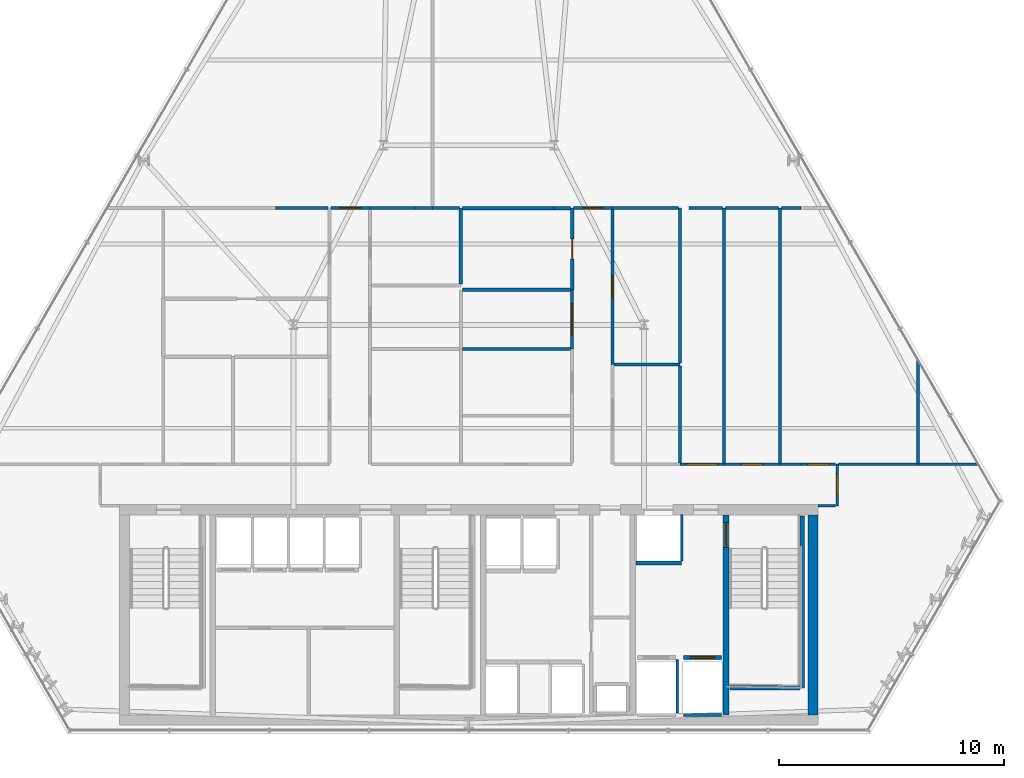
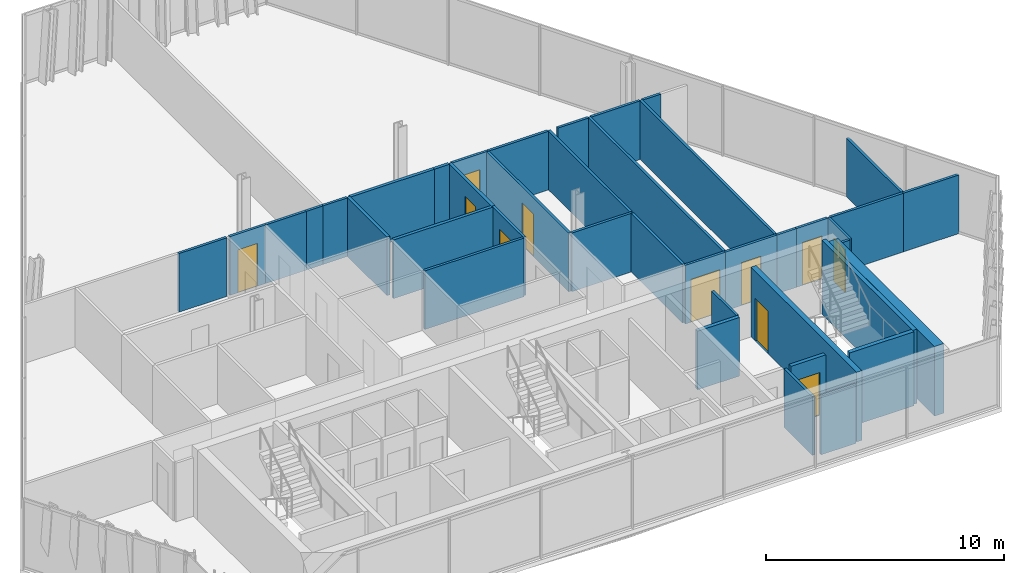
# One storey, part 27 of 31: 41 walls, 11 doors, 11 openings.
"""IFC4 building model written with IfcOpenShell, lengths in metres."""

from ifc_helpers import new_model, si_unit, direction, frame, frame_2d, origin, place, context, subcontext, project, spatial, rectangle, extrude, material, layer, layer_set, type_object, element, fill, save


model = new_model("IFC4")

# Units and contexts
model_context = context("Model", 3, precision=1e-05, world=origin(), true_north=direction((0.0, 1.0)))
body_context = subcontext(model_context, "Body", "Model", "MODEL_VIEW")
ifc_project = project(units=[si_unit("LENGTHUNIT", "METRE"), si_unit("AREAUNIT", "SQUARE_METRE"), si_unit("VOLUMEUNIT", "CUBIC_METRE"), si_unit("PLANEANGLEUNIT", "RADIAN"), si_unit("MASSUNIT", "GRAM", prefix="KILO")], contexts=[model_context])

# Site, building, storey
site_placement = place(None, origin())
site = spatial("IfcSite", under=ifc_project, at=site_placement, CompositionType="ELEMENT")
building_placement = place(site_placement, origin())
building = spatial("IfcBuilding", under=site, at=building_placement, Name="Ndaravel Arena Tower", CompositionType="ELEMENT")
storey_placement = place(building_placement, frame((0.0, 0.0, 146.0)))
storey = spatial("IfcBuildingStorey", under=building, at=storey_placement, Name="L34", CompositionType="ELEMENT", Elevation=146.0)

# Wall, opening, door
ifc_material_1 = material(Name="Concrete C60/75", Category="concrete")
ifc_layer_1 = layer(ifc_material_1, 0.25)
ifc_layer_set_1 = layer_set([ifc_layer_1], Name="Concrete C60/75")
wall_type_1 = type_object("IfcWallType", Name="WALL-CORE-250", PredefinedType="SOLIDWALL", material=ifc_layer_set_1)
wall_1_placement = place(storey_placement, frame((53.449951171875, 5.85009765625, 0.0), z_axis=(0.0, 0.0, 1.0), x_axis=(0.0, 1.0, 0.0)))
wall_1 = element("IfcWall", 1, at=wall_1_placement, inside=storey, type_object=wall_type_1, Name="L34 Core Web Shear Wall 5", PredefinedType="SOLIDWALL", context=body_context, shape_type="SweptSolid", body=[
    extrude(rectangle(XDim=8.89990234375, YDim=0.25, at=frame_2d((4.449951171875, 0.0))), origin(), (0.0, 0.0, 1.0), 3.580078125),
])
opening_1_placement = place(wall_1_placement, frame((7.449951171875, 0.0, 0.0)))
opening_1 = element("IfcOpeningElement", 2, at=opening_1_placement, cuts=wall_1, Name="Opening FD-01", PredefinedType="OPENING", context=body_context, shape_type="SweptSolid", body=[
    extrude(rectangle(XDim=1.10009765625, YDim=2.199951171875, at=frame_2d((0.550048828125, 1.10009765625))), frame((0.0, 0.125, 0.0), z_axis=(0.0, -1.0, 0.0), x_axis=(1.0, 0.0, 0.0)), (0.0, 0.0, 1.0), 0.25),
])
ifc_material_2 = material(Name="Steel S355", Category="steel")
door_type_1 = type_object("IfcDoorType", Name="DT-01-STAIR-1100", OperationType="SINGLE_SWING_LEFT", PredefinedType="DOOR", material=ifc_material_2)
door_1_placement = place(opening_1_placement, origin())
door_1 = element("IfcDoor", 3, at=door_1_placement, inside=storey, type_object=door_type_1, Name="L34 Firefighting Lobby to ST-3 Door", OperationType="SINGLE_SWING_LEFT", OverallHeight=2.199951171875, OverallWidth=1.10009765625, PredefinedType="DOOR", context=body_context, shape_type="SweptSolid", body=[
    extrude(rectangle(XDim=1.10009765625, YDim=2.199951171875, at=frame_2d((0.550048828125, 1.10009765625))), frame((0.0, 0.02490234375, 0.0), z_axis=(0.0, -1.0, 0.0), x_axis=(1.0, 0.0, 0.0)), (0.0, 0.0, 1.0), 0.050048828125),
])
fill(opening_1, door_1)

# Wall
ifc_material_3 = material(Name="Concrete C60/75", Category="concrete")
ifc_layer_2 = layer(ifc_material_3, 0.449951171875)
ifc_layer_set_2 = layer_set([ifc_layer_2], Name="Concrete C60/75")
wall_type_2 = type_object("IfcWallType", Name="WALL-CORE-450", PredefinedType="SOLIDWALL", material=ifc_layer_set_2)
wall_2_placement = place(storey_placement, frame((57.324951171875, 5.85009765625, 0.0), z_axis=(0.0, 0.0, 1.0), x_axis=(0.0, 1.0, 0.0)))
element("IfcWall", 4, at=wall_2_placement, inside=storey, type_object=wall_type_2, Name="L34 Core East Shear Wall", PredefinedType="SOLIDWALL", context=body_context, shape_type="SweptSolid", body=[
    extrude(rectangle(XDim=8.89990234375, YDim=0.449951171875, at=frame_2d((4.449951171875, 0.0))), origin(), (0.0, 0.0, 1.0), 3.580078125),
])

# Wall, opening, door
ifc_material_4 = material(Name="Timber", Category="wood")
ifc_layer_3 = layer(ifc_material_4, 0.10009765625)
ifc_layer_set_3 = layer_set([ifc_layer_3], Name="Timber")
wall_type_3 = type_object("IfcWallType", Name="WALL-MOVABLE-100", PredefinedType="MOVABLE", material=ifc_layer_set_3)
wall_3_placement = place(storey_placement, frame((58.39990234375, 17.0, 0.0), z_axis=(0.0, 0.0, 1.0), x_axis=(0.0, -1.0, 0.0)))
wall_3 = element("IfcWall", 5, at=wall_3_placement, inside=storey, type_object=wall_type_3, Name="L34 Interior Partition 001", PredefinedType="MOVABLE", context=body_context, shape_type="SweptSolid", body=[
    extrude(rectangle(XDim=1.85009765625, YDim=0.10009765625, at=frame_2d((0.925048828125, 0.0))), origin(), (0.0, 0.0, 1.0), 3.010498046875),
])
opening_2_placement = place(wall_3_placement, frame((0.449951171875, 0.0, 0.0)))
opening_2 = element("IfcOpeningElement", 6, at=opening_2_placement, cuts=wall_3, Name="Opening ID-01", PredefinedType="OPENING", context=body_context, shape_type="SweptSolid", body=[
    extrude(rectangle(XDim=0.949951171875, YDim=2.199951171875, at=frame_2d((0.47509765625, 1.10009765625))), frame((0.0, 0.050048828125, 0.0), z_axis=(0.0, -1.0, 0.0), x_axis=(1.0, 0.0, 0.0)), (0.0, 0.0, 1.0), 0.10009765625),
])
ifc_material_5 = material(Name="Timber", Category="wood")
door_type_2 = type_object("IfcDoorType", Name="DT-03-OFFICE-950", OperationType="SINGLE_SWING_LEFT", PredefinedType="DOOR", material=ifc_material_5)
door_2_placement = place(opening_2_placement, origin())
door_2 = element("IfcDoor", 7, at=door_2_placement, inside=storey, type_object=door_type_2, Name="L34 Quiet Reading Library Door", OperationType="SINGLE_SWING_RIGHT", OverallHeight=2.199951171875, OverallWidth=0.949951171875, PredefinedType="DOOR", context=body_context, shape_type="SweptSolid", body=[
    extrude(rectangle(XDim=0.949951171875, YDim=2.199951171875, at=frame_2d((0.47509765625, 1.10009765625))), frame((0.0, 0.02490234375, 0.0), z_axis=(0.0, -1.0, 0.0), x_axis=(1.0, 0.0, 0.0)), (0.0, 0.0, 1.0), 0.050048828125),
])
fill(opening_2, door_2)

# Wall
ifc_material_6 = material(Name="Gypsum", Category="gypsum")
ifc_layer_4 = layer(ifc_material_6, 0.125)
ifc_layer_set_4 = layer_set([ifc_layer_4], Name="Gypsum")
wall_type_4 = type_object("IfcWallType", Name="WALL-PART-125", PredefinedType="PARTITIONING", material=ifc_layer_set_4)
wall_4_placement = place(storey_placement, frame((58.3349609375, 15.14990234375, 0.0), z_axis=(0.0, 0.0, 1.0), x_axis=(-1.0, 0.0, 0.0)))
element("IfcWall", 8, at=wall_4_placement, inside=storey, type_object=wall_type_4, Name="L34 Interior Partition 002", PredefinedType="PARTITIONING", context=body_context, shape_type="SweptSolid", body=[
    extrude(rectangle(XDim=0.784912109375, YDim=0.125, at=frame_2d((0.392578125, 0.0))), origin(), (0.0, 0.0, 1.0), 3.010498046875),
])

# Wall, opening, door
wall_5_placement = place(storey_placement, frame((35.864990234375, 28.39990234375, 0.0), z_axis=(0.0, 0.0, 1.0), x_axis=(1.0, 0.0, 0.0)))
wall_5 = element("IfcWall", 9, at=wall_5_placement, inside=storey, type_object=wall_type_4, Name="L34 Interior Partition 011", PredefinedType="PARTITIONING", context=body_context, shape_type="SweptSolid", body=[
    extrude(rectangle(XDim=1.735107421875, YDim=0.125, at=frame_2d((0.86767578125, 0.0))), origin(), (0.0, 0.0, 1.0), 3.010498046875),
])
opening_3_placement = place(wall_5_placement, frame((0.392578125, 0.0, 0.0)))
opening_3 = element("IfcOpeningElement", 10, at=opening_3_placement, cuts=wall_5, Name="Opening ID-01", PredefinedType="OPENING", context=body_context, shape_type="SweptSolid", body=[
    extrude(rectangle(XDim=0.949951171875, YDim=2.199951171875, at=frame_2d((0.47509765625, 1.10009765625))), frame((0.0, 0.0625, 0.0), z_axis=(0.0, -1.0, 0.0), x_axis=(1.0, 0.0, 0.0)), (0.0, 0.0, 1.0), 0.125),
])
door_3_placement = place(opening_3_placement, origin())
door_3 = element("IfcDoor", 11, at=door_3_placement, inside=storey, type_object=door_type_2, Name="L34 Design Workshop 8 Door", OperationType="SINGLE_SWING_RIGHT", OverallHeight=2.199951171875, OverallWidth=0.949951171875, PredefinedType="DOOR", context=body_context, shape_type="SweptSolid", body=[
    extrude(rectangle(XDim=0.949951171875, YDim=2.199951171875, at=frame_2d((0.47509765625, 1.10009765625))), frame((0.0, 0.02490234375, 0.0), z_axis=(0.0, -1.0, 0.0), x_axis=(1.0, 0.0, 0.0)), (0.0, 0.0, 1.0), 0.050048828125),
])
fill(opening_3, door_3)

wall_6_placement = place(storey_placement, frame((46.60009765625, 22.1298828125, 0.0), z_axis=(0.0, 0.0, 1.0), x_axis=(0.0, 1.0, 0.0)))
wall_6 = element("IfcWall", 12, at=wall_6_placement, inside=storey, type_object=wall_type_4, Name="L34 Interior Partition 019", PredefinedType="PARTITIONING", context=body_context, shape_type="SweptSolid", body=[
    extrude(rectangle(XDim=2.633544921875, YDim=0.125, at=frame_2d((1.31689453125, 0.0))), origin(), (0.0, 0.0, 1.0), 3.010498046875),
])
opening_4_placement = place(wall_6_placement, frame((0.61669921875, 0.0, 0.0)))
opening_4 = element("IfcOpeningElement", 13, at=opening_4_placement, cuts=wall_6, Name="Opening ID-02", PredefinedType="OPENING", context=body_context, shape_type="SweptSolid", body=[
    extrude(rectangle(XDim=1.39990234375, YDim=2.199951171875, at=frame_2d((0.699951171875, 1.10009765625))), frame((0.0, 0.0625, 0.0), z_axis=(0.0, -1.0, 0.0), x_axis=(1.0, 0.0, 0.0)), (0.0, 0.0, 1.0), 0.125),
])
ifc_material_7 = material(Name="Timber", Category="wood")
door_type_3 = type_object("IfcDoorType", Name="DT-04-SUITE-1400", OperationType="DOUBLE_DOOR_SINGLE_SWING", PredefinedType="DOOR", material=ifc_material_7)
door_4_placement = place(opening_4_placement, origin())
door_4 = element("IfcDoor", 14, at=door_4_placement, inside=storey, type_object=door_type_3, Name="L34 Client Conference Room 6 Door", OperationType="SINGLE_SWING_RIGHT", OverallHeight=2.199951171875, OverallWidth=1.39990234375, PredefinedType="DOOR", context=body_context, shape_type="SweptSolid", body=[
    extrude(rectangle(XDim=1.39990234375, YDim=2.199951171875, at=frame_2d((0.699951171875, 1.10009765625))), frame((0.0, 0.02490234375, 0.0), z_axis=(0.0, -1.0, 0.0), x_axis=(1.0, 0.0, 0.0)), (0.0, 0.0, 1.0), 0.050048828125),
])
fill(opening_4, door_4)

wall_7_placement = place(storey_placement, frame((46.6650390625, 28.39990234375, 0.0), z_axis=(0.0, 0.0, 1.0), x_axis=(1.0, 0.0, 0.0)))
wall_7 = element("IfcWall", 15, at=wall_7_placement, inside=storey, type_object=wall_type_4, Name="L34 Interior Partition 021", PredefinedType="PARTITIONING", context=body_context, shape_type="SweptSolid", body=[
    extrude(rectangle(XDim=1.73486328125, YDim=0.125, at=frame_2d((0.867431640625, 0.0))), origin(), (0.0, 0.0, 1.0), 3.010498046875),
])
opening_5_placement = place(wall_7_placement, frame((0.392578125, 0.0, 0.0)))
opening_5 = element("IfcOpeningElement", 16, at=opening_5_placement, cuts=wall_7, Name="Opening ID-01", PredefinedType="OPENING", context=body_context, shape_type="SweptSolid", body=[
    extrude(rectangle(XDim=0.949951171875, YDim=2.199951171875, at=frame_2d((0.47509765625, 1.10009765625))), frame((0.0, 0.0625, 0.0), z_axis=(0.0, -1.0, 0.0), x_axis=(1.0, 0.0, 0.0)), (0.0, 0.0, 1.0), 0.125),
])
door_5_placement = place(opening_5_placement, origin())
door_5 = element("IfcDoor", 17, at=door_5_placement, inside=storey, type_object=door_type_2, Name="L34 Executive Boardroom 9 Door", OperationType="SINGLE_SWING_LEFT", OverallHeight=2.199951171875, OverallWidth=0.949951171875, PredefinedType="DOOR", context=body_context, shape_type="SweptSolid", body=[
    extrude(rectangle(XDim=0.949951171875, YDim=2.199951171875, at=frame_2d((0.47509765625, 1.10009765625))), frame((0.0, 0.02490234375, 0.0), z_axis=(0.0, -1.0, 0.0), x_axis=(1.0, 0.0, 0.0)), (0.0, 0.0, 1.0), 0.050048828125),
])
fill(opening_5, door_5)

wall_8_placement = place(storey_placement, frame((48.39990234375, 28.3349609375, 0.0), z_axis=(0.0, 0.0, 1.0), x_axis=(0.0, -1.0, 0.0)))
wall_8 = element("IfcWall", 18, at=wall_8_placement, inside=storey, type_object=wall_type_4, Name="L34 Interior Partition 022", PredefinedType="PARTITIONING", context=body_context, shape_type="SweptSolid", body=[
    extrude(rectangle(XDim=6.888916015625, YDim=0.125, at=frame_2d((3.4443359375, 0.0))), origin(), (0.0, 0.0, 1.0), 3.010498046875),
])
opening_6_placement = place(wall_8_placement, frame((2.969482421875, 0.0, 0.0)))
opening_6 = element("IfcOpeningElement", 19, at=opening_6_placement, cuts=wall_8, Name="Opening ID-01", PredefinedType="OPENING", context=body_context, shape_type="SweptSolid", body=[
    extrude(rectangle(XDim=0.949951171875, YDim=2.199951171875, at=frame_2d((0.47509765625, 1.10009765625))), frame((0.0, 0.0625, 0.0), z_axis=(0.0, -1.0, 0.0), x_axis=(1.0, 0.0, 0.0)), (0.0, 0.0, 1.0), 0.125),
])
door_6_placement = place(opening_6_placement, origin())
door_6 = element("IfcDoor", 20, at=door_6_placement, inside=storey, type_object=door_type_2, Name="L34 Project Seminar Room 7 Door", OperationType="SINGLE_SWING_RIGHT", OverallHeight=2.199951171875, OverallWidth=0.949951171875, PredefinedType="DOOR", context=body_context, shape_type="SweptSolid", body=[
    extrude(rectangle(XDim=0.949951171875, YDim=2.199951171875, at=frame_2d((0.47509765625, 1.10009765625))), frame((0.0, 0.02490234375, 0.0), z_axis=(0.0, -1.0, 0.0), x_axis=(1.0, 0.0, 0.0)), (0.0, 0.0, 1.0), 0.050048828125),
])
fill(opening_6, door_6)

wall_9_placement = place(storey_placement, frame((51.39990234375, 17.0, 0.0), z_axis=(0.0, 0.0, 1.0), x_axis=(1.0, 0.0, 0.0)))
wall_9 = element("IfcWall", 21, at=wall_9_placement, inside=storey, type_object=wall_type_4, Name="L34 Interior Partition 025", PredefinedType="PARTITIONING", context=body_context, shape_type="SweptSolid", body=[
    extrude(rectangle(XDim=1.958984375, YDim=0.125, at=frame_2d((0.9794921875, 0.0))), origin(), (0.0, 0.0, 1.0), 3.010498046875),
])
opening_7_placement = place(wall_9_placement, frame((0.279296875, 0.0, 0.0)))
opening_7 = element("IfcOpeningElement", 22, at=opening_7_placement, cuts=wall_9, Name="Opening ID-02", PredefinedType="OPENING", context=body_context, shape_type="SweptSolid", body=[
    extrude(rectangle(XDim=1.39990234375, YDim=2.199951171875, at=frame_2d((0.699951171875, 1.10009765625))), frame((0.0, 0.0625, 0.0), z_axis=(0.0, -1.0, 0.0), x_axis=(1.0, 0.0, 0.0)), (0.0, 0.0, 1.0), 0.125),
])
door_7_placement = place(opening_7_placement, origin())
door_7 = element("IfcDoor", 23, at=door_7_placement, inside=storey, type_object=door_type_3, Name="L34 Executive Boardroom 5 Door", OperationType="SINGLE_SWING_LEFT", OverallHeight=2.199951171875, OverallWidth=1.39990234375, PredefinedType="DOOR", context=body_context, shape_type="SweptSolid", body=[
    extrude(rectangle(XDim=1.39990234375, YDim=2.199951171875, at=frame_2d((0.699951171875, 1.10009765625))), frame((0.0, 0.02490234375, 0.0), z_axis=(0.0, -1.0, 0.0), x_axis=(1.0, 0.0, 0.0)), (0.0, 0.0, 1.0), 0.050048828125),
])
fill(opening_7, door_7)

wall_10_placement = place(storey_placement, frame((53.35888671875, 17.0, 0.0), z_axis=(0.0, 0.0, 1.0), x_axis=(1.0, 0.0, 0.0)))
wall_10 = element("IfcWall", 24, at=wall_10_placement, inside=storey, type_object=wall_type_4, Name="L34 Interior Partition 026", PredefinedType="PARTITIONING", context=body_context, shape_type="SweptSolid", body=[
    extrude(rectangle(XDim=2.4931640625, YDim=0.125, at=frame_2d((1.24658203125, 0.0))), origin(), (0.0, 0.0, 1.0), 3.010498046875),
])
opening_8_placement = place(wall_10_placement, frame((0.771484375, 0.0, 0.0)))
opening_8 = element("IfcOpeningElement", 25, at=opening_8_placement, cuts=wall_10, Name="Opening ID-01", PredefinedType="OPENING", context=body_context, shape_type="SweptSolid", body=[
    extrude(rectangle(XDim=0.949951171875, YDim=2.199951171875, at=frame_2d((0.47509765625, 1.10009765625))), frame((0.0, 0.0625, 0.0), z_axis=(0.0, -1.0, 0.0), x_axis=(1.0, 0.0, 0.0)), (0.0, 0.0, 1.0), 0.125),
])
door_8_placement = place(opening_8_placement, origin())
door_8 = element("IfcDoor", 26, at=door_8_placement, inside=storey, type_object=door_type_2, Name="L34 Quiet Reading Library 5 Door", OperationType="SINGLE_SWING_RIGHT", OverallHeight=2.199951171875, OverallWidth=0.949951171875, PredefinedType="DOOR", context=body_context, shape_type="SweptSolid", body=[
    extrude(rectangle(XDim=0.949951171875, YDim=2.199951171875, at=frame_2d((0.47509765625, 1.10009765625))), frame((0.0, 0.02490234375, 0.0), z_axis=(0.0, -1.0, 0.0), x_axis=(1.0, 0.0, 0.0)), (0.0, 0.0, 1.0), 0.050048828125),
])
fill(opening_8, door_8)

# Wall
wall_11_placement = place(storey_placement, frame((55.85205078125, 17.0, 0.0), z_axis=(0.0, 0.0, 1.0), x_axis=(1.0, 0.0, 0.0)))
element("IfcWall", 27, at=wall_11_placement, inside=storey, type_object=wall_type_4, Name="L34 Interior Partition 027", PredefinedType="PARTITIONING", context=body_context, shape_type="SweptSolid", body=[
    extrude(rectangle(XDim=0.947998046875, YDim=0.125, at=frame_2d((0.47412109375, 0.0))), origin(), (0.0, 0.0, 1.0), 3.010498046875),
])

# Wall, opening, door
wall_12_placement = place(storey_placement, frame((56.800048828125, 17.0, 0.0), z_axis=(0.0, 0.0, 1.0), x_axis=(1.0, 0.0, 0.0)))
wall_12 = element("IfcWall", 28, at=wall_12_placement, inside=storey, type_object=wall_type_4, Name="L34 Interior Partition 028", PredefinedType="PARTITIONING", context=body_context, shape_type="SweptSolid", body=[
    extrude(rectangle(XDim=1.534912109375, YDim=0.125, at=frame_2d((0.767578125, 0.0))), origin(), (0.0, 0.0, 1.0), 3.010498046875),
])
opening_9_placement = place(wall_12_placement, frame((0.29248046875, 0.0, 0.0)))
opening_9 = element("IfcOpeningElement", 29, at=opening_9_placement, cuts=wall_12, Name="Opening ID-01", PredefinedType="OPENING", context=body_context, shape_type="SweptSolid", body=[
    extrude(rectangle(XDim=0.949951171875, YDim=2.199951171875, at=frame_2d((0.47509765625, 1.10009765625))), frame((0.0, 0.0625, 0.0), z_axis=(0.0, -1.0, 0.0), x_axis=(1.0, 0.0, 0.0)), (0.0, 0.0, 1.0), 0.125),
])
door_9_placement = place(opening_9_placement, origin())
door_9 = element("IfcDoor", 30, at=door_9_placement, inside=storey, type_object=door_type_2, Name="L34 Design Workshop 4 Door", OperationType="SINGLE_SWING_RIGHT", OverallHeight=2.199951171875, OverallWidth=0.949951171875, PredefinedType="DOOR", context=body_context, shape_type="SweptSolid", body=[
    extrude(rectangle(XDim=0.949951171875, YDim=2.199951171875, at=frame_2d((0.47509765625, 1.10009765625))), frame((0.0, 0.02490234375, 0.0), z_axis=(0.0, -1.0, 0.0), x_axis=(1.0, 0.0, 0.0)), (0.0, 0.0, 1.0), 0.050048828125),
])
fill(opening_9, door_9)

# Walls
wall_13_placement = place(storey_placement, frame((58.465087890625, 17.0, 0.0), z_axis=(0.0, 0.0, 1.0), x_axis=(1.0, 0.0, 0.0)))
element("IfcWall", 31, at=wall_13_placement, inside=storey, type_object=wall_type_4, Name="L34 Interior Partition 030", PredefinedType="PARTITIONING", context=body_context, shape_type="SweptSolid", body=[
    extrude(rectangle(XDim=3.534912109375, YDim=0.125, at=frame_2d((1.767578125, 0.0))), origin(), (0.0, 0.0, 1.0), 3.010498046875),
])
wall_14_placement = place(storey_placement, frame((62.0, 17.0, 0.0), z_axis=(0.0, 0.0, 1.0), x_axis=(1.0, 0.0, 0.0)))
element("IfcWall", 32, at=wall_14_placement, inside=storey, type_object=wall_type_4, Name="L34 Interior Partition 031", PredefinedType="PARTITIONING", context=body_context, shape_type="SweptSolid", body=[
    extrude(rectangle(XDim=2.68310546875, YDim=0.125, at=frame_2d((1.341552734375, 0.0))), origin(), (0.0, 0.0, 1.0), 3.010498046875),
])
wall_15_placement = place(storey_placement, frame((48.465087890625, 21.446044921875, 0.0), z_axis=(0.0, 0.0, 1.0), x_axis=(1.0, 0.0, 0.0)))
element("IfcWall", 33, at=wall_15_placement, inside=storey, type_object=wall_type_4, Name="L34 Interior Partition 034", PredefinedType="PARTITIONING", context=body_context, shape_type="SweptSolid", body=[
    extrude(rectangle(XDim=2.934814453125, YDim=0.125, at=frame_2d((1.46728515625, 0.0))), origin(), (0.0, 0.0, 1.0), 3.010498046875),
])
wall_16_placement = place(storey_placement, frame((51.39990234375, 21.381103515625, 0.0), z_axis=(0.0, 0.0, 1.0), x_axis=(0.0, -1.0, 0.0)))
element("IfcWall", 34, at=wall_16_placement, inside=storey, type_object=wall_type_4, Name="L34 Interior Partition 035", PredefinedType="PARTITIONING", context=body_context, shape_type="SweptSolid", body=[
    extrude(rectangle(XDim=4.316162109375, YDim=0.125, at=frame_2d((2.158203125, 0.0))), origin(), (0.0, 0.0, 1.0), 3.010498046875),
])
wall_17_placement = place(storey_placement, frame((41.715087890625, 22.1298828125, 0.0), z_axis=(0.0, 0.0, 1.0), x_axis=(1.0, 0.0, 0.0)))
element("IfcWall", 35, at=wall_17_placement, inside=storey, type_object=wall_type_4, Name="L34 Interior Partition 042", PredefinedType="PARTITIONING", context=body_context, shape_type="SweptSolid", body=[
    extrude(rectangle(XDim=4.81982421875, YDim=0.125, at=frame_2d((2.409912109375, 0.0))), origin(), (0.0, 0.0, 1.0), 3.010498046875),
])
wall_18_placement = place(storey_placement, frame((62.0, 21.647216796875, 0.0), z_axis=(0.0, 0.0, 1.0), x_axis=(0.0, -1.0, 0.0)))
element("IfcWall", 36, at=wall_18_placement, inside=storey, type_object=wall_type_4, Name="L34 Interior Partition 047", PredefinedType="PARTITIONING", context=body_context, shape_type="SweptSolid", body=[
    extrude(rectangle(XDim=4.582275390625, YDim=0.125, at=frame_2d((2.291015625, 0.0))), origin(), (0.0, 0.0, 1.0), 3.010498046875),
])
wall_19_placement = place(storey_placement, frame((55.85205078125, 17.06494140625, 0.0), z_axis=(0.0, 0.0, 1.0), x_axis=(0.0, 1.0, 0.0)))
element("IfcWall", 37, at=wall_19_placement, inside=storey, type_object=wall_type_4, Name="L34 Interior Partition 048", PredefinedType="PARTITIONING", context=body_context, shape_type="SweptSolid", body=[
    extrude(rectangle(XDim=11.3349609375, YDim=0.125, at=frame_2d((5.66748046875, 0.0))), origin(), (0.0, 0.0, 1.0), 3.010498046875),
])
wall_20_placement = place(storey_placement, frame((55.9169921875, 28.39990234375, 0.0), z_axis=(0.0, 0.0, 1.0), x_axis=(1.0, 0.0, 0.0)))
element("IfcWall", 38, at=wall_20_placement, inside=storey, type_object=wall_type_4, Name="L34 Interior Partition 049", PredefinedType="PARTITIONING", context=body_context, shape_type="SweptSolid", body=[
    extrude(rectangle(XDim=0.883056640625, YDim=0.125, at=frame_2d((0.44140625, 0.0))), origin(), (0.0, 0.0, 1.0), 3.010498046875),
])
wall_21_placement = place(storey_placement, frame((53.35888671875, 28.39990234375, 0.0), z_axis=(0.0, 0.0, 1.0), x_axis=(0.0, -1.0, 0.0)))
element("IfcWall", 39, at=wall_21_placement, inside=storey, type_object=wall_type_4, Name="L34 Interior Partition 050", PredefinedType="PARTITIONING", context=body_context, shape_type="SweptSolid", body=[
    extrude(rectangle(XDim=11.3349609375, YDim=0.125, at=frame_2d((5.66748046875, 0.0))), origin(), (0.0, 0.0, 1.0), 3.010498046875),
])
wall_22_placement = place(storey_placement, frame((51.39990234375, 21.510986328125, 0.0), z_axis=(0.0, 0.0, 1.0), x_axis=(0.0, 1.0, 0.0)))
element("IfcWall", 40, at=wall_22_placement, inside=storey, type_object=wall_type_4, Name="L34 Interior Partition 051", PredefinedType="PARTITIONING", context=body_context, shape_type="SweptSolid", body=[
    extrude(rectangle(XDim=6.888916015625, YDim=0.125, at=frame_2d((3.4443359375, 0.0))), origin(), (0.0, 0.0, 1.0), 3.010498046875),
])
wall_23_placement = place(storey_placement, frame((51.800048828125, 28.39990234375, 0.0), z_axis=(0.0, 0.0, 1.0), x_axis=(1.0, 0.0, 0.0)))
element("IfcWall", 41, at=wall_23_placement, inside=storey, type_object=wall_type_4, Name="L34 Interior Partition 052", PredefinedType="PARTITIONING", context=body_context, shape_type="SweptSolid", body=[
    extrude(rectangle(XDim=1.493896484375, YDim=0.125, at=frame_2d((0.7470703125, 0.0))), origin(), (0.0, 0.0, 1.0), 3.010498046875),
])
wall_24_placement = place(storey_placement, frame((53.423828125, 28.39990234375, 0.0), z_axis=(0.0, 0.0, 1.0), x_axis=(1.0, 0.0, 0.0)))
element("IfcWall", 42, at=wall_24_placement, inside=storey, type_object=wall_type_4, Name="L34 Interior Partition 053", PredefinedType="PARTITIONING", context=body_context, shape_type="SweptSolid", body=[
    extrude(rectangle(XDim=2.36328125, YDim=0.125, at=frame_2d((1.181640625, 0.0))), origin(), (0.0, 0.0, 1.0), 3.010498046875),
])
wall_25_placement = place(storey_placement, frame((48.39990234375, 28.39990234375, 0.0), z_axis=(0.0, 0.0, 1.0), x_axis=(1.0, 0.0, 0.0)))
element("IfcWall", 43, at=wall_25_placement, inside=storey, type_object=wall_type_4, Name="L34 Interior Partition 058", PredefinedType="PARTITIONING", context=body_context, shape_type="SweptSolid", body=[
    extrude(rectangle(XDim=2.93505859375, YDim=0.125, at=frame_2d((1.467529296875, 0.0))), origin(), (0.0, 0.0, 1.0), 3.010498046875),
])
wall_26_placement = place(storey_placement, frame((33.39990234375, 28.39990234375, 0.0), z_axis=(0.0, 0.0, 1.0), x_axis=(1.0, 0.0, 0.0)))
element("IfcWall", 44, at=wall_26_placement, inside=storey, type_object=wall_type_4, Name="L34 Interior Partition 060", PredefinedType="PARTITIONING", context=body_context, shape_type="SweptSolid", body=[
    extrude(rectangle(XDim=2.335205078125, YDim=0.125, at=frame_2d((1.16748046875, 0.0))), origin(), (0.0, 0.0, 1.0), 3.010498046875),
])
wall_27_placement = place(storey_placement, frame((37.60009765625, 28.39990234375, 0.0), z_axis=(0.0, 0.0, 1.0), x_axis=(1.0, 0.0, 0.0)))
element("IfcWall", 45, at=wall_27_placement, inside=storey, type_object=wall_type_4, Name="L34 Interior Partition 064", PredefinedType="PARTITIONING", context=body_context, shape_type="SweptSolid", body=[
    extrude(rectangle(XDim=2.0, YDim=0.125, at=frame_2d((1.0, 0.0))), origin(), (0.0, 0.0, 1.0), 3.010498046875),
])
wall_28_placement = place(storey_placement, frame((39.60009765625, 28.39990234375, 0.0), z_axis=(0.0, 0.0, 1.0), x_axis=(1.0, 0.0, 0.0)))
element("IfcWall", 46, at=wall_28_placement, inside=storey, type_object=wall_type_4, Name="L34 Interior Partition 065", PredefinedType="PARTITIONING", context=body_context, shape_type="SweptSolid", body=[
    extrude(rectangle(XDim=0.789794921875, YDim=0.125, at=frame_2d((0.39501953125, 0.0))), origin(), (0.0, 0.0, 1.0), 3.010498046875),
])
wall_29_placement = place(storey_placement, frame((40.389892578125, 28.39990234375, 0.0), z_axis=(0.0, 0.0, 1.0), x_axis=(1.0, 0.0, 0.0)))
element("IfcWall", 47, at=wall_29_placement, inside=storey, type_object=wall_type_4, Name="L34 Interior Partition 066", PredefinedType="PARTITIONING", context=body_context, shape_type="SweptSolid", body=[
    extrude(rectangle(XDim=1.195068359375, YDim=0.125, at=frame_2d((0.59765625, 0.0))), origin(), (0.0, 0.0, 1.0), 3.010498046875),
])
ifc_material_8 = material(Name="Concrete C40/50", Category="concrete")
ifc_layer_5 = layer(ifc_material_8, 0.1201171875)
ifc_layer_set_5 = layer_set([ifc_layer_5], Name="Concrete C40/50")
wall_type_5 = type_object("IfcWallType", Name="WALL-SHAFT-120", PredefinedType="SOLIDWALL", material=ifc_layer_set_5)
wall_30_placement = place(storey_placement, frame((51.27490234375, 5.929931640625, 0.0), z_axis=(0.0, 0.0, 1.0), x_axis=(0.0, 1.0, 0.0)))
element("IfcWall", 48, at=wall_30_placement, inside=storey, type_object=wall_type_5, Name="L34 FFL-1 Shaft Side R Wall", PredefinedType="SOLIDWALL", context=body_context, shape_type="SweptSolid", body=[
    extrude(rectangle(XDim=2.380126953125, YDim=0.1201171875, at=frame_2d((1.18994140625, 0.0))), origin(), (0.0, 0.0, 1.0), 3.010498046875),
])
wall_31_placement = place(storey_placement, frame((51.554931640625, 5.840087890625, 0.0), z_axis=(0.0, 0.0, 1.0), x_axis=(1.0, 0.0, 0.0)))
element("IfcWall", 49, at=wall_31_placement, inside=storey, type_object=wall_type_5, Name="L34 FFL-2 Shaft Rear Wall", PredefinedType="SOLIDWALL", context=body_context, shape_type="SweptSolid", body=[
    extrude(rectangle(XDim=1.690185546875, YDim=0.1201171875, at=frame_2d((0.84521484375, 0.0))), origin(), (0.0, 0.0, 1.0), 3.010498046875),
])
wall_32_placement = place(storey_placement, frame((51.47998046875, 12.68994140625, 0.0), z_axis=(0.0, 0.0, 1.0), x_axis=(0.0, 1.0, 0.0)))
element("IfcWall", 50, at=wall_32_placement, inside=storey, type_object=wall_type_5, Name="L34 SVL-1 Shaft E Wall", PredefinedType="SOLIDWALL", context=body_context, shape_type="SweptSolid", body=[
    extrude(rectangle(XDim=2.070068359375, YDim=0.1201171875, at=frame_2d((1.03515625, 0.0))), origin(), (0.0, 0.0, 1.0), 3.010498046875),
])
ifc_material_9 = material(Name="Concrete C40/50", Category="concrete")
ifc_layer_6 = layer(ifc_material_9, 0.199951171875)
ifc_layer_set_6 = layer_set([ifc_layer_6], Name="Concrete C40/50")
wall_type_6 = type_object("IfcWallType", Name="WALL-SHAFT-200", PredefinedType="SOLIDWALL", material=ifc_layer_set_6)
wall_33_placement = place(storey_placement, frame((56.840087890625, 14.699951171875, 0.0), z_axis=(0.0, 0.0, 1.0), x_axis=(0.0, -1.0, 0.0)))
element("IfcWall", 51, at=wall_33_placement, inside=storey, type_object=wall_type_6, Name="L34 ST-3 Structural Shaft Wall Right", PredefinedType="SOLIDWALL", context=body_context, shape_type="SweptSolid", body=[
    extrude(rectangle(XDim=7.64990234375, YDim=0.199951171875, at=frame_2d((3.824951171875, 0.0))), origin(), (0.0, 0.0, 1.0), 3.800048828125),
])
wall_34_placement = place(storey_placement, frame((53.6201171875, 7.050048828125, 0.0), z_axis=(0.0, 0.0, 1.0), x_axis=(1.0, 0.0, 0.0)))
element("IfcWall", 52, at=wall_34_placement, inside=storey, type_object=wall_type_6, Name="L34 ST-3 Structural Shaft Wall Far", PredefinedType="SOLIDWALL", context=body_context, shape_type="SweptSolid", body=[
    extrude(rectangle(XDim=3.114990234375, YDim=0.199951171875, at=frame_2d((1.5576171875, 0.0))), origin(), (0.0, 0.0, 1.0), 3.800048828125),
])

# Wall, opening, door
wall_35_placement = place(storey_placement, frame((51.554931640625, 8.39990234375, 0.0), z_axis=(0.0, 0.0, 1.0), x_axis=(1.0, 0.0, 0.0)))
wall_35 = element("IfcWall", 53, at=wall_35_placement, inside=storey, type_object=wall_type_6, Name="L34 FFL-2 Shaft Landing Wall", PredefinedType="SOLIDWALL", context=body_context, shape_type="SweptSolid", body=[
    extrude(rectangle(XDim=1.690185546875, YDim=0.179931640625, at=frame_2d((0.84521484375, 0.0))), origin(), (0.0, 0.0, 1.0), 3.010498046875),
])
opening_10_placement = place(wall_35_placement, frame((0.294921875, 0.0, 0.0)))
opening_10 = element("IfcOpeningElement", 54, at=opening_10_placement, cuts=wall_35, Name="Opening LD-01", PredefinedType="OPENING", context=body_context, shape_type="SweptSolid", body=[
    extrude(rectangle(XDim=1.10009765625, YDim=2.199951171875, at=frame_2d((0.550048828125, 1.10009765625))), frame((0.0, 0.08984375, 0.0), z_axis=(0.0, -1.0, 0.0), x_axis=(1.0, 0.0, 0.0)), (0.0, 0.0, 1.0), 0.179931640625),
])
ifc_material_10 = material(Name="Steel S355", Category="steel")
door_type_4 = type_object("IfcDoorType", Name="DT-06-LIFT-1100", OperationType="SLIDING_TO_LEFT", PredefinedType="DOOR", material=ifc_material_10)
door_10_placement = place(opening_10_placement, origin())
door_10 = element("IfcDoor", 55, at=door_10_placement, inside=storey, type_object=door_type_4, Name="L34 Lift FFL-2 Sliding Landing Door", OperationType="SLIDING_TO_LEFT", OverallHeight=2.199951171875, OverallWidth=1.10009765625, PredefinedType="DOOR", context=body_context, shape_type="SweptSolid", body=[
    extrude(rectangle(XDim=1.10009765625, YDim=2.199951171875, at=frame_2d((0.550048828125, 1.10009765625))), frame((0.0, 0.02490234375, 0.0), z_axis=(0.0, -1.0, 0.0), x_axis=(1.0, 0.0, 0.0)), (0.0, 0.0, 1.0), 0.050048828125),
])
fill(opening_10, door_10)

# Wall
wall_36_placement = place(storey_placement, frame((49.43994140625, 12.594970703125, 0.0), z_axis=(0.0, 0.0, 1.0), x_axis=(1.0, 0.0, 0.0)))
element("IfcWall", 56, at=wall_36_placement, inside=storey, type_object=wall_type_6, Name="L34 SVL-1 Shaft South Wall", PredefinedType="SOLIDWALL", context=body_context, shape_type="SweptSolid", body=[
    extrude(rectangle(XDim=2.0400390625, YDim=0.179931640625, at=frame_2d((1.02001953125, 0.0))), origin(), (0.0, 0.0, 1.0), 3.010498046875),
])

# Wall, opening, door
ifc_material_11 = material(Name="Masonry", Category="masonry")
ifc_layer_7 = layer(ifc_material_11, 0.14990234375)
ifc_layer_set_7 = layer_set([ifc_layer_7], Name="Masonry")
wall_type_7 = type_object("IfcWallType", Name="WALL-WET-150", PredefinedType="PARTITIONING", material=ifc_layer_set_7)
wall_37_placement = place(storey_placement, frame((46.60009765625, 24.763427734375, 0.0), z_axis=(0.0, 0.0, 1.0), x_axis=(0.0, 1.0, 0.0)))
wall_37 = element("IfcWall", 57, at=wall_37_placement, inside=storey, type_object=wall_type_7, Name="L34 Interior Partition 020", PredefinedType="PARTITIONING", context=body_context, shape_type="SweptSolid", body=[
    extrude(rectangle(XDim=3.636474609375, YDim=0.14990234375, at=frame_2d((1.818359375, 0.0))), origin(), (0.0, 0.0, 1.0), 3.010498046875),
])
opening_11_placement = place(wall_37_placement, frame((1.368408203125, 0.0, 0.0)))
opening_11 = element("IfcOpeningElement", 58, at=opening_11_placement, cuts=wall_37, Name="Opening WD-01", PredefinedType="OPENING", context=body_context, shape_type="SweptSolid", body=[
    extrude(rectangle(XDim=0.89990234375, YDim=2.14990234375, at=frame_2d((0.449951171875, 1.074951171875))), frame((0.0, 0.074951171875, 0.0), z_axis=(0.0, -1.0, 0.0), x_axis=(1.0, 0.0, 0.0)), (0.0, 0.0, 1.0), 0.14990234375),
])
ifc_material_12 = material(Name="Timber", Category="wood")
door_type_5 = type_object("IfcDoorType", Name="DT-05-WC-900", OperationType="SINGLE_SWING_LEFT", PredefinedType="DOOR", material=ifc_material_12)
door_11_placement = place(opening_11_placement, origin())
door_11 = element("IfcDoor", 59, at=door_11_placement, inside=storey, type_object=door_type_5, Name="L34 Female & Accessible Restroom Door", OperationType="SINGLE_SWING_RIGHT", OverallHeight=2.14990234375, OverallWidth=0.89990234375, PredefinedType="DOOR", context=body_context, shape_type="SweptSolid", body=[
    extrude(rectangle(XDim=0.89990234375, YDim=2.14990234375, at=frame_2d((0.449951171875, 1.074951171875))), frame((0.0, 0.02490234375, 0.0), z_axis=(0.0, -1.0, 0.0), x_axis=(1.0, 0.0, 0.0)), (0.0, 0.0, 1.0), 0.050048828125),
])
fill(opening_11, door_11)

# Walls
wall_38_placement = place(storey_placement, frame((41.715087890625, 24.763427734375, 0.0), z_axis=(0.0, 0.0, 1.0), x_axis=(1.0, 0.0, 0.0)))
element("IfcWall", 60, at=wall_38_placement, inside=storey, type_object=wall_type_7, Name="L34 Interior Partition 056", PredefinedType="PARTITIONING", context=body_context, shape_type="SweptSolid", body=[
    extrude(rectangle(XDim=4.81982421875, YDim=0.14990234375, at=frame_2d((2.409912109375, 0.0))), origin(), (0.0, 0.0, 1.0), 3.010498046875),
])
wall_39_placement = place(storey_placement, frame((41.64990234375, 25.0166015625, 0.0), z_axis=(0.0, 0.0, 1.0), x_axis=(0.0, 1.0, 0.0)))
element("IfcWall", 61, at=wall_39_placement, inside=storey, type_object=wall_type_7, Name="L34 Interior Partition 061", PredefinedType="PARTITIONING", context=body_context, shape_type="SweptSolid", body=[
    extrude(rectangle(XDim=3.38330078125, YDim=0.14990234375, at=frame_2d((1.691650390625, 0.0))), origin(), (0.0, 0.0, 1.0), 3.010498046875),
])
wall_40_placement = place(storey_placement, frame((41.715087890625, 28.39990234375, 0.0), z_axis=(0.0, 0.0, 1.0), x_axis=(1.0, 0.0, 0.0)))
element("IfcWall", 62, at=wall_40_placement, inside=storey, type_object=wall_type_7, Name="L34 Interior Partition 062", PredefinedType="PARTITIONING", context=body_context, shape_type="SweptSolid", body=[
    extrude(rectangle(XDim=4.0849609375, YDim=0.14990234375, at=frame_2d((2.04248046875, 0.0))), origin(), (0.0, 0.0, 1.0), 3.010498046875),
])
wall_41_placement = place(storey_placement, frame((45.800048828125, 28.39990234375, 0.0), z_axis=(0.0, 0.0, 1.0), x_axis=(1.0, 0.0, 0.0)))
element("IfcWall", 63, at=wall_41_placement, inside=storey, type_object=wall_type_7, Name="L34 Interior Partition 063", PredefinedType="PARTITIONING", context=body_context, shape_type="SweptSolid", body=[
    extrude(rectangle(XDim=0.73486328125, YDim=0.14990234375, at=frame_2d((0.367431640625, 0.0))), origin(), (0.0, 0.0, 1.0), 3.010498046875),
])

save(model, "model.ifc")
